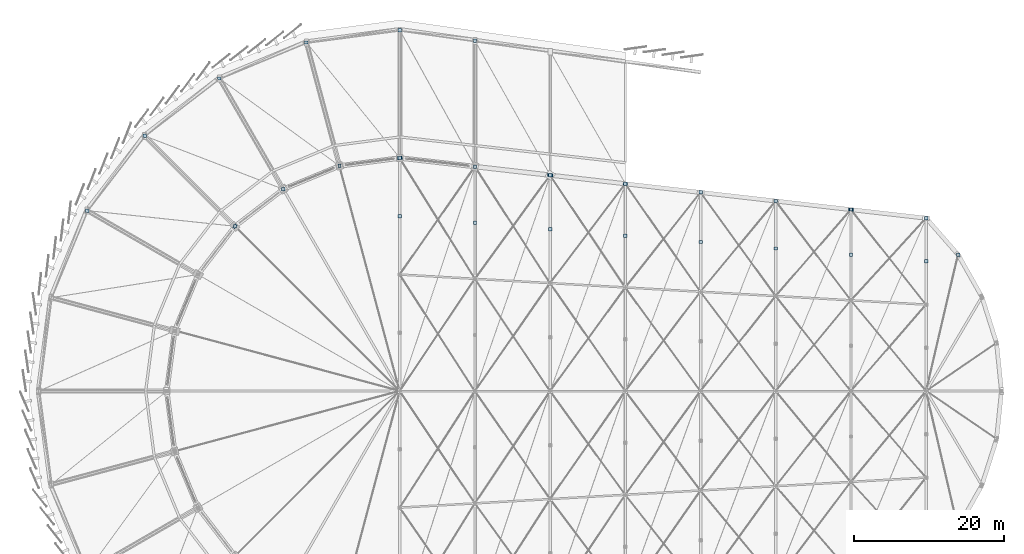
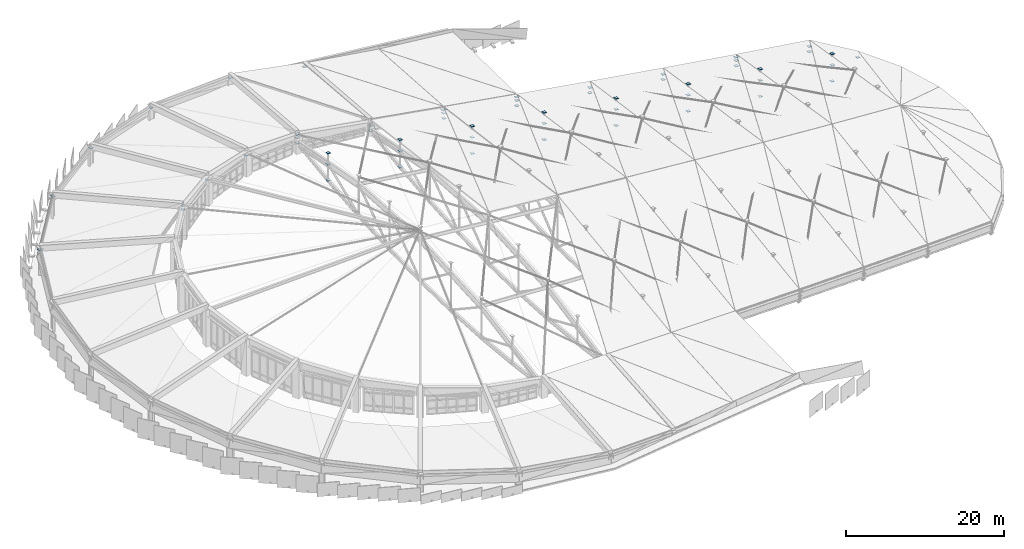
# One storey, part 63 of 68: 55 plates.
"""IFC4 building model written with IfcOpenShell, lengths in metres."""

from ifc_helpers import new_model, si_unit, direction, frame, origin, origin_2d, place, context, subcontext, project, spatial, rectangle, extrude, material, layer, layer_set, type_object, element, save


model = new_model("IFC4")

# Units and contexts
model_context = context("Model", 3, precision=1e-05, world=origin(), true_north=direction((0.0, 1.0)))
body_context = subcontext(model_context, "Body", "Model", "MODEL_VIEW")
ifc_project = project(units=[si_unit("LENGTHUNIT", "METRE"), si_unit("AREAUNIT", "SQUARE_METRE"), si_unit("VOLUMEUNIT", "CUBIC_METRE"), si_unit("PLANEANGLEUNIT", "RADIAN"), si_unit("MASSUNIT", "GRAM", prefix="KILO")], contexts=[model_context])

# Site, building, storey
site_placement = place(None, origin())
site = spatial("IfcSite", under=ifc_project, at=site_placement, CompositionType="ELEMENT")
building_placement = place(site_placement, origin())
building = spatial("IfcBuilding", under=site, at=building_placement, Name="Sohan Crest Arena", CompositionType="ELEMENT")
storey_placement = place(building_placement, frame((0.0, 0.0, 27.0)))
storey = spatial("IfcBuildingStorey", under=building, at=storey_placement, Name="RF", CompositionType="ELEMENT", Elevation=27.0)

# Plates
ifc_material = material(Name="Steel S355", Category="steel")
ifc_layer_1 = layer(ifc_material, 0.031982421875, Name="Steel S355")
ifc_layer_set_1 = layer_set([ifc_layer_1], Name="Steel S355")
plate_type_1 = type_object("IfcPlateType", Name="STR-PL-BP01", PredefinedType="USERDEFINED", material=ifc_layer_set_1)
for number, where, z_axis, x_axis, name in (
    (1, (98.0, 126.0, 1.178466796875), (0.0, 0.0, 1.0), (1.0, 0.0, 0.0), "Hollow section end cap plate ECP-0169"),
    (2, (85.576904296875, 124.364013671875, 1.945556640625), (0.0, 0.0, 1.0), (1.0, 0.0, 0.0), "Hollow section end cap plate ECP-0170"),
    (3, (74.0, 119.569091796875, 2.675537109375), (0.0, 0.0, 1.0), (1.0, 0.0, 0.0), "Hollow section end cap plate ECP-0171"),
    (4, (64.05908203125, 111.94091796875, 3.314453125), (0.0, 0.0, 1.0), (1.0, 0.0, 0.0), "Hollow section end cap plate ECP-0172"),
    (5, (56.430908203125, 102.0, 3.8115234375), (0.0, 0.0, 1.0), (1.0, 0.0, 0.0), "Hollow section end cap plate ECP-0173"),
    (6, (108.0, 124.571044921875, 0.25048828125), (0.0, 0.0, 1.0), (1.0, 0.0, 0.0), "Hollow section end cap plate ECP-0202"),
    (7, (98.0, 101.25, 2.892578125), (0.0, 0.0, 1.0), (1.0, 0.0, 0.0), "Hollow section end cap plate ECP-0290"),
    (8, (98.0, 101.25, 4.62255859375), (0.0, 0.0, 1.0), (1.0, 0.0, 0.0), "Hollow section end cap plate ECP-0291"),
    (9, (98.0, 109.0, 1.448486328125), (0.0, 0.0, 1.0), (1.0, 0.0, 0.0), "Hollow section end cap plate ECP-0292"),
    (10, (98.0, 101.25, 0.3984375), (0.0, 0.0, 1.0), (1.0, 0.0, 0.0), "Hollow section end cap plate ECP-0299"),
    (11, (108.0, 100.39208984375, 1.964599609375), (0.0, 0.0, 1.0), (1.0, 0.0, 0.0), "Hollow section end cap plate ECP-0313"),
    (12, (108.0, 100.39306640625, 3.694580078125), (0.0, 0.0, 1.0), (1.0, 0.0, 0.0), "Hollow section end cap plate ECP-0314"),
    (13, (108.0, 107.85693359375, 0.5205078125), (0.0, 0.0, 1.0), (1.0, 0.0, 0.0), "Hollow section end cap plate ECP-0315"),
    (14, (108.0, 100.39306640625, -0.529541015625), (0.0, 0.0, 1.0), (1.0, 0.0, 0.0), "Hollow section end cap plate ECP-0322"),
    (15, (118.0, 99.534912109375, 1.068603515625), (0.0, 0.0, 1.0), (1.0, 0.0, 0.0), "Hollow section end cap plate ECP-0336"),
    (16, (118.0, 99.534912109375, 2.798583984375), (0.0, 0.0, 1.0), (1.0, 0.0, 0.0), "Hollow section end cap plate ECP-0337"),
    (17, (118.0, 106.714111328125, -0.37548828125), (0.0, 0.0, 1.0), (1.0, 0.0, 0.0), "Hollow section end cap plate ECP-0338"),
    (18, (118.0, 99.534912109375, -1.425537109375), (0.0, 0.0, 1.0), (1.0, 0.0, 0.0), "Hollow section end cap plate ECP-0345"),
    (19, (128.0, 98.677978515625, 0.20849609375), (0.0, 0.0, 1.0), (1.0, 0.0, 0.0), "Hollow section end cap plate ECP-0359"),
    (20, (128.0, 98.677978515625, 1.9384765625), (0.0, 0.0, 1.0), (1.0, 0.0, 0.0), "Hollow section end cap plate ECP-0360"),
    (21, (128.0, 105.571044921875, -1.2353515625), (0.0, 0.0, 1.0), (1.0, 0.0, 0.0), "Hollow section end cap plate ECP-0361"),
    (22, (128.0, 98.677978515625, -2.285400390625), (0.0, 0.0, 1.0), (1.0, 0.0, 0.0), "Hollow section end cap plate ECP-0368"),
    (23, (138.0, 97.822021484375, -0.6083984375), (0.0, 0.0, 1.0), (1.0, 0.0, 0.0), "Hollow section end cap plate ECP-0382"),
    (24, (138.0, 97.822021484375, 1.12158203125), (0.0, 0.0, 1.0), (1.0, 0.0, 0.0), "Hollow section end cap plate ECP-0383"),
    (25, (138.0, 104.428955078125, -2.052490234375), (0.0, 0.0, 1.0), (1.0, 0.0, 0.0), "Hollow section end cap plate ECP-0384"),
    (26, (138.0, 97.822021484375, -3.1025390625), (0.0, 0.0, 1.0), (1.0, 0.0, 0.0), "Hollow section end cap plate ECP-0391"),
    (27, (148.0, 96.965087890625, -1.37548828125), (0.0, 0.0, 1.0), (1.0, 0.0, 0.0), "Hollow section end cap plate ECP-0405"),
    (28, (148.0, 96.965087890625, 0.3544921875), (0.0, 0.0, 1.0), (1.0, 0.0, 0.0), "Hollow section end cap plate ECP-0406"),
    (29, (148.0, 103.285888671875, -2.8193359375), (0.0, 0.0, 1.0), (1.0, 0.0, 0.0), "Hollow section end cap plate ECP-0407"),
    (30, (148.0, 96.965087890625, -3.869384765625), (0.0, 0.0, 1.0), (1.0, 0.0, 0.0), "Hollow section end cap plate ECP-0414"),
    (31, (158.0, 96.10791015625, -2.08154296875), (0.0, 0.0, 1.0), (1.0, 0.0, 0.0), "Hollow section end cap plate ECP-0428"),
    (32, (158.0, 96.10693359375, -0.350341796875), (0.0, 0.0, 1.0), (1.0, 0.0, 0.0), "Hollow section end cap plate ECP-0429"),
    (33, (158.0, 102.14306640625, -3.5244140625), (0.0, 0.0, 1.0), (1.0, 0.0, 0.0), "Hollow section end cap plate ECP-0430"),
    (34, (158.0, 96.10693359375, -4.574462890625), (0.0, 0.0, 1.0), (1.0, 0.0, 0.0), "Hollow section end cap plate ECP-0437"),
    (35, (168.0, 95.25, -2.700439453125), (0.0, 0.0, 1.0), (1.0, 0.0, 0.0), "Hollow section end cap plate ECP-0451"),
    (36, (168.0, 95.25, -0.969482421875), (0.0, 0.0, 1.0), (1.0, 0.0, 0.0), "Hollow section end cap plate ECP-0452"),
    (37, (168.0, 101.0, -4.1435546875), (0.0, 0.0, 1.0), (1.0, 0.0, 0.0), "Hollow section end cap plate ECP-0453"),
    (38, (168.0, 95.25, -5.193359375), (0.0, 0.0, 1.0), (1.0, 0.0, 0.0), "Hollow section end cap plate ECP-0460"),
    (39, (98.0, 109.0, 2.258544921875), (0.0, 0.0, 1.0), (1.0, 0.0, 0.0), "Hollow section end cap plate ECP-0461"),
    (40, (89.97705078125, 107.944091796875, 3.025634765625), (0.0, 0.0, 1.0), (1.0, 0.0, 0.0), "Hollow section end cap plate ECP-0462"),
    (41, (82.5, 104.846923828125, 3.755615234375), (0.0, 0.0, 1.0), (1.0, 0.0, 0.0), "Hollow section end cap plate ECP-0463"),
    (42, (76.080078125, 99.919921875, 4.39453125), (0.0, 0.0, 1.0), (1.0, 0.0, 0.0), "Hollow section end cap plate ECP-0464"),
    (43, (172.242919921875, 96.154052734375, -3.557373046875), (0.0, 0.0, 1.0), (1.0, 0.0, 0.0), "Hollow section end cap plate ECP-0487"),
    (44, (168.0, 101.0, -3.33349609375), (0.0, 0.0, 1.0), (1.0, 0.0, 0.0), "Hollow section end cap plate ECP-0488"),
    (45, (158.0, 102.14306640625, -2.71435546875), (0.0, 0.0, 1.0), (1.0, 0.0, 0.0), "Hollow section end cap plate ECP-0489"),
    (46, (148.0, 103.285888671875, -2.009521484375), (0.0, 0.0, 1.0), (1.0, 0.0, 0.0), "Hollow section end cap plate ECP-0490"),
    (47, (138.0, 104.428955078125, -1.242431640625), (0.0, 0.0, 1.0), (1.0, 0.0, 0.0), "Hollow section end cap plate ECP-0491"),
    (48, (128.0, 105.571044921875, -0.425537109375), (0.0, 0.0, 1.0), (1.0, 0.0, 0.0), "Hollow section end cap plate ECP-0492"),
    (49, (118.0, 106.714111328125, 0.4345703125), (0.0, 0.0, 1.0), (1.0, 0.0, 0.0), "Hollow section end cap plate ECP-0493"),
    (50, (108.0, 107.85693359375, 1.33056640625), (0.0, 0.0, 1.0), (1.0, 0.0, 0.0), "Hollow section end cap plate ECP-0494"),
):
    element("IfcPlate", number, at=place(storey_placement, frame(where, z_axis=z_axis, x_axis=x_axis)), inside=storey, type_object=plate_type_1, Name=name, ObjectType="BASE PLATE", PredefinedType="USERDEFINED", context=body_context, shape_type="SweptSolid", body=[
        extrude(rectangle(XDim=0.449951171875, YDim=0.449951171875, at=origin_2d()), origin(), (0.0, 0.0, 1.0), 0.02490234375),
    ])
ifc_layer_2 = layer(ifc_material, 0.02490234375, Name="Steel S355")
ifc_layer_set_2 = layer_set([ifc_layer_2], Name="Steel S355")
plate_type_2 = type_object("IfcPlateType", Name="STR-PL-GP01", PredefinedType="USERDEFINED", material=ifc_layer_set_2)
for number, where, z_axis, x_axis, name in (
    (51, (98.0, 109.0, 2.818603515625), (0.0, 0.0, 1.0), (0.991444861374, 0.13052619222, 0.0), "Ring beam node gusset plate GP-RB01"),
    (52, (158.0, 102.14306640625, -2.154541015625), (0.0, 0.0, 1.0), (-0.993571855677, 0.113203213768, 0.0), "Ring beam node gusset plate GP-RB29"),
):
    element("IfcPlate", number, at=place(storey_placement, frame(where, z_axis=z_axis, x_axis=x_axis)), inside=storey, type_object=plate_type_2, Name=name, ObjectType="GUSSET PLATE", PredefinedType="USERDEFINED", context=body_context, shape_type="SweptSolid", body=[
        extrude(rectangle(XDim=0.64990234375, YDim=0.419921875, at=origin_2d()), origin(), (0.0, 0.0, 1.0), 0.02490234375),
    ])
ifc_layer_3 = layer(ifc_material, 0.02392578125, Name="Steel S355")
ifc_layer_set_3 = layer_set([ifc_layer_3], Name="Steel S355")
plate_type_3 = type_object("IfcPlateType", Name="STR-PL-GP04", PredefinedType="USERDEFINED", material=ifc_layer_set_3)
for number, where, z_axis, x_axis, name in (
    (53, (76.080078125, 99.919921875, 4.955078125), (0.0, 0.0, 1.0), (0.608761429009, 0.793353340291, 0.0), "Ring beam node gusset plate GP-RB04"),
    (54, (128.0, 105.571044921875, 0.135009765625), (0.0, 0.0, 1.0), (-0.993571855677, 0.113203213768, 0.0), "Ring beam node gusset plate GP-RB32"),
):
    element("IfcPlate", number, at=place(storey_placement, frame(where, z_axis=z_axis, x_axis=x_axis)), inside=storey, type_object=plate_type_3, Name=name, ObjectType="GUSSET PLATE", PredefinedType="USERDEFINED", context=body_context, shape_type="SweptSolid", body=[
        extrude(rectangle(XDim=0.580078125, YDim=0.360107421875, at=origin_2d()), origin(), (0.0, 0.0, 1.0), 0.02392578125),
    ])
ifc_layer_4 = layer(ifc_material, 0.028076171875, Name="Steel S355")
ifc_layer_set_4 = layer_set([ifc_layer_4], Name="Steel S355")
plate_type_4 = type_object("IfcPlateType", Name="STR-PL-GP05", PredefinedType="USERDEFINED", material=ifc_layer_set_4)
plate_placement = place(storey_placement, frame((118.0, 106.714111328125, 0.9931640625), z_axis=(0.0, 0.0, 1.0), x_axis=(-0.993571855677, 0.113203213768, 0.0)))
element("IfcPlate", 55, at=plate_placement, inside=storey, type_object=plate_type_4, Name="Ring beam node gusset plate GP-RB33", ObjectType="GUSSET PLATE", PredefinedType="USERDEFINED", context=body_context, shape_type="SweptSolid", body=[
    extrude(rectangle(XDim=0.719970703125, YDim=0.43994140625, at=origin_2d()), origin(), (0.0, 0.0, 1.0), 0.028076171875),
])

save(model, "model.ifc")
